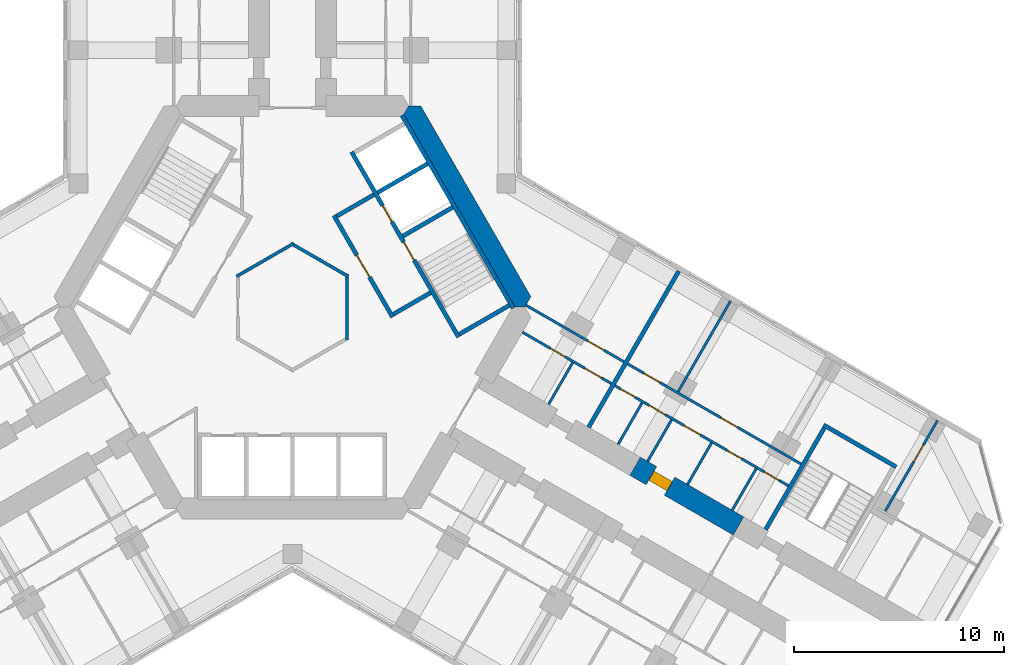
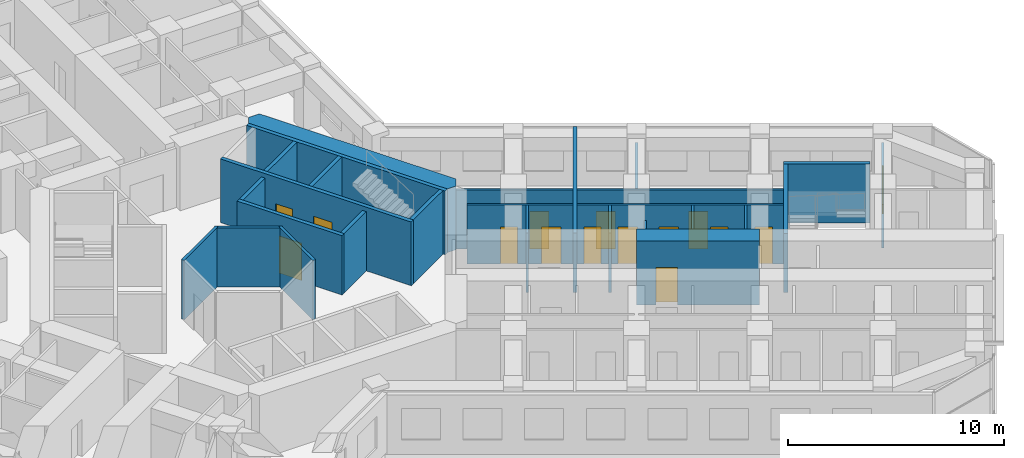
# One storey, part 16 of 22: 27 walls, 15 doors, 15 openings.
"""IFC4 building model written with IfcOpenShell, lengths in metres."""

from ifc_helpers import new_model, si_unit, direction, frame, frame_2d, origin, place, context, subcontext, project, spatial, polyline, rectangle, outline, extrude, material, layer, layer_set, type_object, element, fill, save


model = new_model("IFC4")

# Units and contexts
model_context = context("Model", 3, precision=1e-05, world=origin(), true_north=direction((0.0, 1.0)))
body_context = subcontext(model_context, "Body", "Model", "MODEL_VIEW")
ifc_project = project(units=[si_unit("LENGTHUNIT", "METRE"), si_unit("AREAUNIT", "SQUARE_METRE"), si_unit("VOLUMEUNIT", "CUBIC_METRE"), si_unit("PLANEANGLEUNIT", "RADIAN"), si_unit("MASSUNIT", "GRAM", prefix="KILO")], contexts=[model_context])

# Site, building, storey
site_placement = place(None, origin())
site = spatial("IfcSite", under=ifc_project, at=site_placement, CompositionType="ELEMENT")
building_placement = place(site_placement, origin())
building = spatial("IfcBuilding", under=site, at=building_placement, Name="Kosmar Iwan School Tower", CompositionType="ELEMENT")
storey_placement = place(building_placement, frame((0.0, 0.0, 95.199951171875)))
storey = spatial("IfcBuildingStorey", under=building, at=storey_placement, Name="L23", CompositionType="ELEMENT", Elevation=95.199951171875)

# Walls
ifc_material_1 = material(Name="Gypsum board on steel studs, fire-rated", Category="steel")
ifc_layer_1 = layer(ifc_material_1, 0.14990234375)
ifc_layer_set_1 = layer_set([ifc_layer_1], Name="Core room partition 150")
wall_type_1 = type_object("IfcWallType", Name="Core room partition 150", PredefinedType="PARTITIONING", material=ifc_layer_set_1)
for number, where, z_axis, x_axis, name in (
    (1, (-2.6650390625, 1.463623046875, 0.0), (0.0, 0.0, 1.0), (0.866023080072, 0.500004024767, 0.0), "Core room partition L23-CW7"),
    (2, (-0.06494140625, 3.039794921875, 0.0), (0.0, 0.0, 1.0), (0.866023080072, -0.500004024767, 0.0), "Core room partition L23-CW8"),
    (3, (2.60009765625, 1.576171875, 0.0), (0.0, 0.0, 1.0), (0.0, -1.0, 0.0), "Core room partition L23-CW9"),
):
    element("IfcWall", number, at=place(storey_placement, frame(where, z_axis=z_axis, x_axis=x_axis)), inside=storey, type_object=wall_type_1, Name=name, PredefinedType="PARTITIONING", context=body_context, shape_type="SweptSolid", body=[
        extrude(rectangle(XDim=3.15234375, YDim=0.14990234375, at=frame_2d((1.576171875, 0.0))), origin(), (0.0, 0.0, 1.0), 3.35009765625),
    ])
ifc_material_2 = material(Name="Concrete C50/60", Category="concrete")
ifc_layer_2 = layer(ifc_material_2, 1.0)
ifc_layer_set_2 = layer_set([ifc_layer_2], Name="Core wall 1000")
wall_type_2 = type_object("IfcWallType", Name="Core wall 1000", PredefinedType="SHEAR", material=ifc_layer_set_2)
wall_1_placement = place(storey_placement, origin())
element("IfcWall", 4, at=wall_1_placement, inside=storey, type_object=wall_type_2, Name="Core wall F030", PredefinedType="SHEAR", context=body_context, shape_type="SweptSolid", body=[
    extrude(outline(polyline([(10.5078125, 0.0), (11.085205078125, 0.0), (11.373779296875, 0.5), (6.119873046875, 9.60009765625), (5.54248046875, 9.60009765625), (5.25390625, 9.10009765625), (10.5078125, 0.0)])), origin(), (0.0, 0.0, 1.0), 3.60009765625),
])

# Wall, opening, door
ifc_material_3 = material(Name="Concrete C50/60", Category="concrete")
ifc_layer_3 = layer(ifc_material_3, 1.0)
ifc_layer_set_3 = layer_set([ifc_layer_3], Name="Corridor buttress wall 1000")
wall_type_3 = type_object("IfcWallType", Name="Corridor buttress wall 1000", PredefinedType="SHEAR", material=ifc_layer_set_3)
wall_2_placement = place(storey_placement, frame((16.34521484375, -7.58935546875, 0.0), z_axis=(0.0, 0.0, 1.0), x_axis=(0.866015111908, -0.50001782563, 0.0)))
wall_2 = element("IfcWall", 5, at=wall_2_placement, inside=storey, type_object=wall_type_3, Name="Corridor wall CL bay 2", PredefinedType="SHEAR", context=body_context, shape_type="SweptSolid", body=[
    extrude(rectangle(XDim=5.699951171875, YDim=1.0, at=frame_2d((2.85009765625, 0.0))), origin(), (0.0, 0.0, 1.0), 3.60009765625),
])
opening_1_placement = place(wall_2_placement, frame((0.89990234375, 0.0, 0.0)))
opening_1 = element("IfcOpeningElement", 6, at=opening_1_placement, cuts=wall_2, Name="Opening D1", PredefinedType="OPENING", context=body_context, shape_type="SweptSolid", body=[
    extrude(rectangle(XDim=1.0, YDim=2.10009765625, at=frame_2d((0.5, 1.050048828125))), frame((0.0, 0.511962890625, 0.0), z_axis=(0.0, -1.0, 0.0), x_axis=(1.0, 0.0, 0.0)), (0.0, 0.0, 1.0), 1.02392578125),
])
ifc_material_4 = material(Name="Timber fire door in steel frame", Category="steel")
door_type_1 = type_object("IfcDoorType", Name="Flat entrance door 1000x2100", OperationType="SINGLE_SWING_LEFT", PredefinedType="DOOR", material=ifc_material_4)
door_1_placement = place(opening_1_placement, origin())
door_1 = element("IfcDoor", 7, at=door_1_placement, inside=storey, type_object=door_type_1, Name="Flat L23-CL2 entrance door", OperationType="SINGLE_SWING_LEFT", OverallHeight=2.10009765625, OverallWidth=1.0, PredefinedType="DOOR", context=body_context, shape_type="SweptSolid", body=[
    extrude(rectangle(XDim=1.0, YDim=2.10009765625, at=frame_2d((0.5, 1.050048828125))), frame((0.0, 0.25, 0.0), z_axis=(0.0, -1.0, 0.0), x_axis=(1.0, 0.0, 0.0)), (0.0, 0.0, 1.0), 0.5),
])
fill(opening_1, door_1)

# Wall, openings, doors
ifc_material_5 = material(Name="Gypsum board on steel studs", Category="steel")
ifc_layer_4 = layer(ifc_material_5, 0.1201171875)
ifc_layer_set_4 = layer_set([ifc_layer_4], Name="Dwelling partition 120")
wall_type_4 = type_object("IfcWallType", Name="Dwelling partition 120", PredefinedType="PARTITIONING", material=ifc_layer_set_4)
wall_3_placement = place(storey_placement, frame((10.971923828125, -1.1962890625, 0.0), z_axis=(0.0, 0.0, 1.0), x_axis=(0.866023786258, -0.500002801628, 0.0)))
wall_3 = element("IfcWall", 8, at=wall_3_placement, inside=storey, type_object=wall_type_4, Name="Partition L23-CL1-W1", PredefinedType="PARTITIONING", context=body_context, shape_type="SweptSolid", body=[
    extrude(rectangle(XDim=4.89990234375, YDim=0.1201171875, at=frame_2d((2.449951171875, 0.0))), origin(), (0.0, 0.0, 1.0), 3.35009765625),
])
opening_2_placement = place(wall_3_placement, frame((1.550048828125, 0.0, 0.0)))
opening_2 = element("IfcOpeningElement", 9, at=opening_2_placement, cuts=wall_3, Name="Opening D3", PredefinedType="OPENING", context=body_context, shape_type="SweptSolid", body=[
    extrude(rectangle(XDim=0.800048828125, YDim=2.10009765625, at=frame_2d((0.39990234375, 1.050048828125))), frame((0.0, 0.072021484375, 0.0), z_axis=(0.0, -1.0, 0.0), x_axis=(1.0, 0.0, 0.0)), (0.0, 0.0, 1.0), 0.14404296875),
])
opening_3_placement = place(wall_3_placement, frame((3.449951171875, 0.0, 0.0)))
opening_3 = element("IfcOpeningElement", 10, at=opening_3_placement, cuts=wall_3, Name="Opening D2", PredefinedType="OPENING", context=body_context, shape_type="SweptSolid", body=[
    extrude(rectangle(XDim=0.89990234375, YDim=2.10009765625, at=frame_2d((0.449951171875, 1.050048828125))), frame((0.0, 0.072021484375, 0.0), z_axis=(0.0, -1.0, 0.0), x_axis=(1.0, 0.0, 0.0)), (0.0, 0.0, 1.0), 0.14404296875),
])
ifc_material_6 = material(Name="Timber door in timber frame", Category="wood")
door_type_2 = type_object("IfcDoorType", Name="Internal door 900x2100", OperationType="SINGLE_SWING_LEFT", PredefinedType="DOOR", material=ifc_material_6)
door_2_placement = place(opening_3_placement, origin())
door_2 = element("IfcDoor", 11, at=door_2_placement, inside=storey, type_object=door_type_2, Name="Entrance hall door L23-CL1-S2", OperationType="SINGLE_SWING_RIGHT", OverallHeight=2.10009765625, OverallWidth=0.89990234375, PredefinedType="DOOR", context=body_context, shape_type="SweptSolid", body=[
    extrude(rectangle(XDim=0.89990234375, YDim=2.10009765625, at=frame_2d((0.449951171875, 1.050048828125))), frame((0.0, 0.02490234375, 0.0), z_axis=(0.0, -1.0, 0.0), x_axis=(1.0, 0.0, 0.0)), (0.0, 0.0, 1.0), 0.050048828125),
])
fill(opening_3, door_2)
ifc_material_7 = material(Name="Timber door in timber frame", Category="wood")
door_type_3 = type_object("IfcDoorType", Name="Sanitary room door 800x2100", OperationType="SINGLE_SWING_LEFT", PredefinedType="DOOR", material=ifc_material_7)
door_3_placement = place(opening_2_placement, origin())
door_3 = element("IfcDoor", 12, at=door_3_placement, inside=storey, type_object=door_type_3, Name="Bathroom door L23-CL1-S1", OperationType="SINGLE_SWING_LEFT", OverallHeight=2.10009765625, OverallWidth=0.800048828125, PredefinedType="DOOR", context=body_context, shape_type="SweptSolid", body=[
    extrude(rectangle(XDim=0.800048828125, YDim=2.10009765625, at=frame_2d((0.39990234375, 1.050048828125))), frame((0.0, 0.02490234375, 0.0), z_axis=(0.0, -1.0, 0.0), x_axis=(1.0, 0.0, 0.0)), (0.0, 0.0, 1.0), 0.050048828125),
])
fill(opening_2, door_3)

# Wall, opening, door
wall_4_placement = place(storey_placement, frame((11.138916015625, 0.093017578125, 0.0), z_axis=(0.0, 0.0, 1.0), x_axis=(0.866028230842, -0.499995103361, 0.0)))
wall_4 = element("IfcWall", 13, at=wall_4_placement, inside=storey, type_object=wall_type_4, Name="Partition L23-CL1-W2", PredefinedType="PARTITIONING", context=body_context, shape_type="SweptSolid", body=[
    extrude(rectangle(XDim=5.39990234375, YDim=0.1201171875, at=frame_2d((2.699951171875, 0.0))), origin(), (0.0, 0.0, 1.0), 3.35009765625),
])
opening_4_placement = place(wall_4_placement, frame((3.39990234375, 0.0, 0.0)))
opening_4 = element("IfcOpeningElement", 14, at=opening_4_placement, cuts=wall_4, Name="Opening D2", PredefinedType="OPENING", context=body_context, shape_type="SweptSolid", body=[
    extrude(rectangle(XDim=0.89990234375, YDim=2.10009765625, at=frame_2d((0.449951171875, 1.050048828125))), frame((0.0, 0.072021484375, 0.0), z_axis=(0.0, -1.0, 0.0), x_axis=(1.0, 0.0, 0.0)), (0.0, 0.0, 1.0), 0.14404296875),
])
door_4_placement = place(opening_4_placement, origin())
door_4 = element("IfcDoor", 15, at=door_4_placement, inside=storey, type_object=door_type_2, Name="Studio living room and kitchen door L23-CL1-F1", OperationType="SINGLE_SWING_RIGHT", OverallHeight=2.10009765625, OverallWidth=0.89990234375, PredefinedType="DOOR", context=body_context, shape_type="SweptSolid", body=[
    extrude(rectangle(XDim=0.89990234375, YDim=2.10009765625, at=frame_2d((0.449951171875, 1.050048828125))), frame((0.0, 0.02490234375, 0.0), z_axis=(0.0, -1.0, 0.0), x_axis=(1.0, 0.0, 0.0)), (0.0, 0.0, 1.0), 0.050048828125),
])
fill(opening_4, door_4)

# Wall
wall_5_placement = place(storey_placement, frame((12.2216796875, -4.63134765625, 0.0), z_axis=(0.0, 0.0, 1.0), x_axis=(0.500014693593, 0.866016920268, 0.0)))
element("IfcWall", 16, at=wall_5_placement, inside=storey, type_object=wall_type_4, Name="Partition L23-CL1-Y1", PredefinedType="PARTITIONING", context=body_context, shape_type="SweptSolid", body=[
    extrude(rectangle(XDim=2.2900390625, YDim=0.1201171875, at=frame_2d((1.14501953125, 0.0))), origin(), (0.0, 0.0, 1.0), 3.35009765625),
])

# Wall, openings, doors
wall_6_placement = place(storey_placement, frame((15.388671875, -3.74609375, 0.0), z_axis=(0.0, 0.0, 1.0), x_axis=(0.866017851049, -0.500013081493, 0.0)))
wall_6 = element("IfcWall", 17, at=wall_6_placement, inside=storey, type_object=wall_type_4, Name="Partition L23-CL2-W1", PredefinedType="PARTITIONING", context=body_context, shape_type="SweptSolid", body=[
    extrude(rectangle(XDim=9.550048828125, YDim=0.1201171875, at=frame_2d((4.77490234375, 0.0))), origin(), (0.0, 0.0, 1.0), 3.35009765625),
])
opening_5_placement = place(wall_6_placement, frame((0.3125, 0.0, 0.0)))
opening_5 = element("IfcOpeningElement", 18, at=opening_5_placement, cuts=wall_6, Name="Opening D3", PredefinedType="OPENING", context=body_context, shape_type="SweptSolid", body=[
    extrude(rectangle(XDim=0.800048828125, YDim=2.10009765625, at=frame_2d((0.39990234375, 1.050048828125))), frame((0.0, 0.072021484375, 0.0), z_axis=(0.0, -1.0, 0.0), x_axis=(1.0, 0.0, 0.0)), (0.0, 0.0, 1.0), 0.14404296875),
])
opening_6_placement = place(wall_6_placement, frame((1.887451171875, 0.0, 0.0)))
opening_6 = element("IfcOpeningElement", 19, at=opening_6_placement, cuts=wall_6, Name="Opening D2", PredefinedType="OPENING", context=body_context, shape_type="SweptSolid", body=[
    extrude(rectangle(XDim=0.89990234375, YDim=2.10009765625, at=frame_2d((0.449951171875, 1.050048828125))), frame((0.0, 0.072021484375, 0.0), z_axis=(0.0, -1.0, 0.0), x_axis=(1.0, 0.0, 0.0)), (0.0, 0.0, 1.0), 0.14404296875),
])
opening_7_placement = place(wall_6_placement, frame((3.800048828125, 0.0, 0.0)))
opening_7 = element("IfcOpeningElement", 20, at=opening_7_placement, cuts=wall_6, Name="Opening D2", PredefinedType="OPENING", context=body_context, shape_type="SweptSolid", body=[
    extrude(rectangle(XDim=0.89990234375, YDim=2.10009765625, at=frame_2d((0.449951171875, 1.050048828125))), frame((0.0, 0.072021484375, 0.0), z_axis=(0.0, -1.0, 0.0), x_axis=(1.0, 0.0, 0.0)), (0.0, 0.0, 1.0), 0.14404296875),
])
opening_8_placement = place(wall_6_placement, frame((6.179931640625, 0.0, 0.0)))
opening_8 = element("IfcOpeningElement", 21, at=opening_8_placement, cuts=wall_6, Name="Opening D3", PredefinedType="OPENING", context=body_context, shape_type="SweptSolid", body=[
    extrude(rectangle(XDim=0.800048828125, YDim=2.10009765625, at=frame_2d((0.39990234375, 1.050048828125))), frame((0.0, 0.072021484375, 0.0), z_axis=(0.0, -1.0, 0.0), x_axis=(1.0, 0.0, 0.0)), (0.0, 0.0, 1.0), 0.14404296875),
])
opening_9_placement = place(wall_6_placement, frame((8.22998046875, 0.0, 0.0)))
opening_9 = element("IfcOpeningElement", 22, at=opening_9_placement, cuts=wall_6, Name="Opening D3", PredefinedType="OPENING", context=body_context, shape_type="SweptSolid", body=[
    extrude(rectangle(XDim=0.800048828125, YDim=2.10009765625, at=frame_2d((0.39990234375, 1.050048828125))), frame((0.0, 0.072021484375, 0.0), z_axis=(0.0, -1.0, 0.0), x_axis=(1.0, 0.0, 0.0)), (0.0, 0.0, 1.0), 0.14404296875),
])
door_5_placement = place(opening_6_placement, frame((0.89990234375, 0.0, 0.0), z_axis=(0.0, 0.0, 1.0), x_axis=(-1.0, 0.0, 0.0)))
door_5 = element("IfcDoor", 23, at=door_5_placement, inside=storey, type_object=door_type_2, Name="Pantry door L23-CL2-S2", OperationType="SINGLE_SWING_RIGHT", OverallHeight=2.10009765625, OverallWidth=0.89990234375, PredefinedType="DOOR", context=body_context, shape_type="SweptSolid", body=[
    extrude(rectangle(XDim=0.89990234375, YDim=2.10009765625, at=frame_2d((0.449951171875, 1.050048828125))), frame((0.0, 0.02490234375, 0.0), z_axis=(0.0, -1.0, 0.0), x_axis=(1.0, 0.0, 0.0)), (0.0, 0.0, 1.0), 0.050048828125),
])
fill(opening_6, door_5)
door_6_placement = place(opening_7_placement, origin())
door_6 = element("IfcDoor", 24, at=door_6_placement, inside=storey, type_object=door_type_2, Name="Entrance hall door L23-CL2-S3", OperationType="SINGLE_SWING_LEFT", OverallHeight=2.10009765625, OverallWidth=0.89990234375, PredefinedType="DOOR", context=body_context, shape_type="SweptSolid", body=[
    extrude(rectangle(XDim=0.89990234375, YDim=2.10009765625, at=frame_2d((0.449951171875, 1.050048828125))), frame((0.0, 0.02490234375, 0.0), z_axis=(0.0, -1.0, 0.0), x_axis=(1.0, 0.0, 0.0)), (0.0, 0.0, 1.0), 0.050048828125),
])
fill(opening_7, door_6)
door_7_placement = place(opening_5_placement, origin())
door_7 = element("IfcDoor", 25, at=door_7_placement, inside=storey, type_object=door_type_3, Name="Store door L23-CL2-S1", OperationType="SINGLE_SWING_LEFT", OverallHeight=2.10009765625, OverallWidth=0.800048828125, PredefinedType="DOOR", context=body_context, shape_type="SweptSolid", body=[
    extrude(rectangle(XDim=0.800048828125, YDim=2.10009765625, at=frame_2d((0.39990234375, 1.050048828125))), frame((0.0, 0.02490234375, 0.0), z_axis=(0.0, -1.0, 0.0), x_axis=(1.0, 0.0, 0.0)), (0.0, 0.0, 1.0), 0.050048828125),
])
fill(opening_5, door_7)
door_8_placement = place(opening_8_placement, origin())
door_8 = element("IfcDoor", 26, at=door_8_placement, inside=storey, type_object=door_type_3, Name="Bathroom door L23-CL2-S4", OperationType="SINGLE_SWING_RIGHT", OverallHeight=2.10009765625, OverallWidth=0.800048828125, PredefinedType="DOOR", context=body_context, shape_type="SweptSolid", body=[
    extrude(rectangle(XDim=0.800048828125, YDim=2.10009765625, at=frame_2d((0.39990234375, 1.050048828125))), frame((0.0, 0.02490234375, 0.0), z_axis=(0.0, -1.0, 0.0), x_axis=(1.0, 0.0, 0.0)), (0.0, 0.0, 1.0), 0.050048828125),
])
fill(opening_8, door_8)
door_9_placement = place(opening_9_placement, origin())
door_9 = element("IfcDoor", 27, at=door_9_placement, inside=storey, type_object=door_type_3, Name="WC door L23-CL2-S5", OperationType="SINGLE_SWING_RIGHT", OverallHeight=2.10009765625, OverallWidth=0.800048828125, PredefinedType="DOOR", context=body_context, shape_type="SweptSolid", body=[
    extrude(rectangle(XDim=0.800048828125, YDim=2.10009765625, at=frame_2d((0.39990234375, 1.050048828125))), frame((0.0, 0.02490234375, 0.0), z_axis=(0.0, -1.0, 0.0), x_axis=(1.0, 0.0, 0.0)), (0.0, 0.0, 1.0), 0.050048828125),
])
fill(opening_9, door_9)

wall_7_placement = place(storey_placement, frame((15.988525390625, -2.70703125, 0.0), z_axis=(0.0, 0.0, 1.0), x_axis=(0.866028920859, -0.499993908199, 0.0)))
wall_7 = element("IfcWall", 28, at=wall_7_placement, inside=storey, type_object=wall_type_4, Name="Partition L23-CL2-W2", PredefinedType="PARTITIONING", context=body_context, shape_type="SweptSolid", body=[
    extrude(rectangle(XDim=9.5498046875, YDim=0.1201171875, at=frame_2d((4.77490234375, 0.0))), origin(), (0.0, 0.0, 1.0), 3.35009765625),
])
opening_10_placement = place(wall_7_placement, frame((0.875, 0.0, 0.0)))
opening_10 = element("IfcOpeningElement", 29, at=opening_10_placement, cuts=wall_7, Name="Opening D2", PredefinedType="OPENING", context=body_context, shape_type="SweptSolid", body=[
    extrude(rectangle(XDim=0.89990234375, YDim=2.10009765625, at=frame_2d((0.449951171875, 1.050048828125))), frame((0.0, 0.072021484375, 0.0), z_axis=(0.0, -1.0, 0.0), x_axis=(1.0, 0.0, 0.0)), (0.0, 0.0, 1.0), 0.14404296875),
])
opening_11_placement = place(wall_7_placement, frame((5.14990234375, 0.0, 0.0)))
opening_11 = element("IfcOpeningElement", 30, at=opening_11_placement, cuts=wall_7, Name="Opening D2", PredefinedType="OPENING", context=body_context, shape_type="SweptSolid", body=[
    extrude(rectangle(XDim=0.89990234375, YDim=2.10009765625, at=frame_2d((0.449951171875, 1.050048828125))), frame((0.0, 0.072021484375, 0.0), z_axis=(0.0, -1.0, 0.0), x_axis=(1.0, 0.0, 0.0)), (0.0, 0.0, 1.0), 0.14404296875),
])
door_10_placement = place(opening_10_placement, origin())
door_10 = element("IfcDoor", 31, at=door_10_placement, inside=storey, type_object=door_type_2, Name="Bedroom 1 door L23-CL2-F1", OperationType="SINGLE_SWING_RIGHT", OverallHeight=2.10009765625, OverallWidth=0.89990234375, PredefinedType="DOOR", context=body_context, shape_type="SweptSolid", body=[
    extrude(rectangle(XDim=0.89990234375, YDim=2.10009765625, at=frame_2d((0.449951171875, 1.050048828125))), frame((0.0, 0.02490234375, 0.0), z_axis=(0.0, -1.0, 0.0), x_axis=(1.0, 0.0, 0.0)), (0.0, 0.0, 1.0), 0.050048828125),
])
fill(opening_10, door_10)
door_11_placement = place(opening_11_placement, origin())
door_11 = element("IfcDoor", 32, at=door_11_placement, inside=storey, type_object=door_type_2, Name="Living room and kitchen door L23-CL2-F2", OperationType="SINGLE_SWING_LEFT", OverallHeight=2.10009765625, OverallWidth=0.89990234375, PredefinedType="DOOR", context=body_context, shape_type="SweptSolid", body=[
    extrude(rectangle(XDim=0.89990234375, YDim=2.10009765625, at=frame_2d((0.449951171875, 1.050048828125))), frame((0.0, 0.02490234375, 0.0), z_axis=(0.0, -1.0, 0.0), x_axis=(1.0, 0.0, 0.0)), (0.0, 0.0, 1.0), 0.050048828125),
])
fill(opening_11, door_11)

# Walls
wall_8_placement = place(storey_placement, frame((18.400146484375, -4.030029296875, 0.0), z_axis=(0.0, 0.0, 1.0), x_axis=(0.500011847778, 0.866018563358, 0.0)))
element("IfcWall", 33, at=wall_8_placement, inside=storey, type_object=wall_type_4, Name="Partition L23-CL2-X1", PredefinedType="PARTITIONING", context=body_context, shape_type="SweptSolid", body=[
    extrude(rectangle(XDim=4.990234375, YDim=0.1201171875, at=frame_2d((2.4951171875, 0.0))), origin(), (0.0, 0.0, 1.0), 2.449951171875),
])
wall_9_placement = place(storey_placement, frame((15.5341796875, -6.5439453125, 0.0), z_axis=(0.0, 0.0, 1.0), x_axis=(0.499968531483, 0.866043571379, 0.0)))
element("IfcWall", 34, at=wall_9_placement, inside=storey, type_object=wall_type_4, Name="Partition L23-CL2-Y1", PredefinedType="PARTITIONING", context=body_context, shape_type="SweptSolid", body=[
    extrude(rectangle(XDim=2.290283203125, YDim=0.1201171875, at=frame_2d((1.14501953125, 0.0))), origin(), (0.0, 0.0, 1.0), 3.35009765625),
])
wall_10_placement = place(storey_placement, frame((16.941650390625, -7.3564453125, 0.0), z_axis=(0.0, 0.0, 1.0), x_axis=(0.499968531483, 0.866043571379, 0.0)))
element("IfcWall", 35, at=wall_10_placement, inside=storey, type_object=wall_type_4, Name="Partition L23-CL2-Y2", PredefinedType="PARTITIONING", context=body_context, shape_type="SweptSolid", body=[
    extrude(rectangle(XDim=2.290283203125, YDim=0.1201171875, at=frame_2d((1.14501953125, 0.0))), origin(), (0.0, 0.0, 1.0), 2.449951171875),
])
for number, where, z_axis, x_axis, name in (
    (36, (18.846923828125, -8.456298828125, 0.0), (0.0, 0.0, 1.0), (0.500014693593, 0.866016920268, 0.0), "Partition L23-CL2-Y3"),
    (37, (20.977294921875, -9.686279296875, 0.0), (0.0, 0.0, 1.0), (0.500014693593, 0.866016920268, 0.0), "Partition L23-CL2-Y4"),
):
    element("IfcWall", number, at=place(storey_placement, frame(where, z_axis=z_axis, x_axis=x_axis)), inside=storey, type_object=wall_type_4, Name=name, PredefinedType="PARTITIONING", context=body_context, shape_type="SweptSolid", body=[
        extrude(rectangle(XDim=2.2900390625, YDim=0.1201171875, at=frame_2d((1.14501953125, 0.0))), origin(), (0.0, 0.0, 1.0), 3.35009765625),
    ])

# Wall, opening, door
wall_11_placement = place(storey_placement, frame((28.27294921875, -9.72998046875, 0.0), z_axis=(0.0, 0.0, 1.0), x_axis=(0.499975153383, 0.86603974851, 0.0)))
wall_11 = element("IfcWall", 38, at=wall_11_placement, inside=storey, type_object=wall_type_4, Name="Partition L23-CL2-TX", PredefinedType="PARTITIONING", context=body_context, shape_type="SweptSolid", body=[
    extrude(rectangle(XDim=4.989990234375, YDim=0.1201171875, at=frame_2d((2.4951171875, 0.0))), origin(), (0.0, 0.0, 1.0), 2.449951171875),
])
opening_12_placement = place(wall_11_placement, frame((2.739990234375, 0.0, 0.0)))
opening_12 = element("IfcOpeningElement", 39, at=opening_12_placement, cuts=wall_11, Name="Opening D2", PredefinedType="OPENING", context=body_context, shape_type="SweptSolid", body=[
    extrude(rectangle(XDim=0.89990234375, YDim=2.10009765625, at=frame_2d((0.449951171875, 1.050048828125))), frame((0.0, 0.072021484375, 0.0), z_axis=(0.0, -1.0, 0.0), x_axis=(1.0, 0.0, 0.0)), (0.0, 0.0, 1.0), 0.14404296875),
])
door_12_placement = place(opening_12_placement, origin())
door_12 = element("IfcDoor", 40, at=door_12_placement, inside=storey, type_object=door_type_2, Name="Study door L23-CL2-T1", OperationType="SINGLE_SWING_RIGHT", OverallHeight=2.10009765625, OverallWidth=0.89990234375, PredefinedType="DOOR", context=body_context, shape_type="SweptSolid", body=[
    extrude(rectangle(XDim=0.89990234375, YDim=2.10009765625, at=frame_2d((0.449951171875, 1.050048828125))), frame((0.0, 0.02490234375, 0.0), z_axis=(0.0, -1.0, 0.0), x_axis=(1.0, 0.0, 0.0)), (0.0, 0.0, 1.0), 0.050048828125),
])
fill(opening_12, door_12)

# Walls
ifc_material_8 = material(Name="Concrete C35/45", Category="concrete")
ifc_layer_5 = layer(ifc_material_8, 0.199951171875)
ifc_layer_set_5 = layer_set([ifc_layer_5], Name="Escape stair wall 200")
wall_type_5 = type_object("IfcWallType", Name="Escape stair wall 200", PredefinedType="SHEAR", material=ifc_layer_set_5)
wall_12_placement = place(storey_placement, frame((22.57080078125, -10.6064453125, 0.0), z_axis=(0.0, 0.0, 1.0), x_axis=(0.499987231761, 0.866032775405, 0.0)))
element("IfcWall", 41, at=wall_12_placement, inside=storey, type_object=wall_type_5, Name="Stair WS3 wall", PredefinedType="SHEAR", context=body_context, shape_type="SweptSolid", body=[
    extrude(rectangle(XDim=5.800048828125, YDim=0.199951171875, at=frame_2d((2.89990234375, 0.0))), origin(), (0.0, 0.0, 1.0), 3.330078125),
])
wall_13_placement = place(storey_placement, frame((25.334228515625, -5.6201171875, 0.0), z_axis=(0.0, 0.0, 1.0), x_axis=(0.866026010844, -0.49999894854, 0.0)))
element("IfcWall", 42, at=wall_13_placement, inside=storey, type_object=wall_type_5, Name="Stair WS3 wall", PredefinedType="SHEAR", context=body_context, shape_type="SweptSolid", body=[
    extrude(rectangle(XDim=4.0, YDim=0.199951171875, at=frame_2d((2.0, 0.0))), origin(), (0.0, 0.0, 1.0), 3.330078125),
])

# Wall, opening, door
ifc_material_9 = material(Name="Concrete block masonry", Category="masonry")
ifc_layer_6 = layer(ifc_material_9, 0.199951171875)
ifc_layer_set_6 = layer_set([ifc_layer_6], Name="Fire lobby wall 200")
wall_type_6 = type_object("IfcWallType", Name="Fire lobby wall 200", PredefinedType="PARTITIONING", material=ifc_layer_set_6)
wall_14_placement = place(storey_placement, frame((4.777587890625, -0.474853515625, 0.0), z_axis=(0.0, 0.0, 1.0), x_axis=(-0.500016814911, 0.866015695474, 0.0)))
wall_14 = element("IfcWall", 43, at=wall_14_placement, inside=storey, type_object=wall_type_6, Name="Firefighting lobby wall ST1", PredefinedType="PARTITIONING", context=body_context, shape_type="SweptSolid", body=[
    extrude(rectangle(XDim=5.599853515625, YDim=0.199951171875, at=frame_2d((2.7998046875, 0.0))), origin(), (0.0, 0.0, 1.0), 3.35009765625),
])
opening_13_placement = place(wall_14_placement, frame((2.199951171875, 0.0, 0.0)))
opening_13 = element("IfcOpeningElement", 44, at=opening_13_placement, cuts=wall_14, Name="Opening D7", PredefinedType="OPENING", context=body_context, shape_type="SweptSolid", body=[
    extrude(rectangle(XDim=1.199951171875, YDim=2.10009765625, at=frame_2d((0.60009765625, 1.050048828125))), frame((0.0, 0.112060546875, 0.0), z_axis=(0.0, -1.0, 0.0), x_axis=(1.0, 0.0, 0.0)), (0.0, 0.0, 1.0), 0.223876953125),
])
ifc_material_10 = material(Name="Steel fire door", Category="steel")
door_type_4 = type_object("IfcDoorType", Name="Fire lobby door 1200x2100", OperationType="SINGLE_SWING_LEFT", PredefinedType="DOOR", material=ifc_material_10)
door_13_placement = place(opening_13_placement, frame((1.199951171875, 0.0, 0.0), z_axis=(0.0, 0.0, 1.0), x_axis=(-1.0, 0.0, 0.0)))
door_13 = element("IfcDoor", 45, at=door_13_placement, inside=storey, type_object=door_type_4, Name="Firefighting lobby door ST1 L23", OperationType="SINGLE_SWING_LEFT", OverallHeight=2.10009765625, OverallWidth=1.199951171875, PredefinedType="DOOR", context=body_context, shape_type="SweptSolid", body=[
    extrude(rectangle(XDim=1.199951171875, YDim=2.10009765625, at=frame_2d((0.60009765625, 1.050048828125))), frame((0.0, 0.02490234375, 0.0), z_axis=(0.0, -1.0, 0.0), x_axis=(1.0, 0.0, 0.0)), (0.0, 0.0, 1.0), 0.050048828125),
])
fill(opening_13, door_13)

# Walls
wall_15_placement = place(storey_placement, frame((4.814208984375, -0.33837890625, 0.0), z_axis=(0.0, 0.0, 1.0), x_axis=(0.865969381856, 0.500097020274, 0.0)))
element("IfcWall", 46, at=wall_15_placement, inside=storey, type_object=wall_type_6, Name="Firefighting lobby wall ST1", PredefinedType="PARTITIONING", context=body_context, shape_type="SweptSolid", body=[
    extrude(rectangle(XDim=2.0498046875, YDim=0.199951171875, at=frame_2d((1.02490234375, 0.0))), origin(), (0.0, 0.0, 1.0), 3.35009765625),
])
wall_16_placement = place(storey_placement, frame((2.114013671875, 4.33837890625, 0.0), z_axis=(0.0, 0.0, 1.0), x_axis=(0.866050731258, 0.499956128963, 0.0)))
element("IfcWall", 47, at=wall_16_placement, inside=storey, type_object=wall_type_6, Name="Firefighting lobby wall ST1", PredefinedType="PARTITIONING", context=body_context, shape_type="SweptSolid", body=[
    extrude(rectangle(XDim=2.050048828125, YDim=0.199951171875, at=frame_2d((1.02490234375, 0.0))), origin(), (0.0, 0.0, 1.0), 3.35009765625),
])

# Wall, openings, doors
ifc_material_11 = material(Name="Concrete C50/60", Category="concrete")
ifc_layer_7 = layer(ifc_material_11, 0.199951171875)
ifc_layer_set_7 = layer_set([ifc_layer_7], Name="Lift shaft wall 200")
wall_type_7 = type_object("IfcWallType", Name="Lift shaft wall 200", PredefinedType="SHEAR", material=ifc_layer_set_7)
wall_17_placement = place(storey_placement, frame((7.926025390625, -1.42822265625, 0.0), z_axis=(0.0, 0.0, 1.0), x_axis=(-0.499998023675, 0.866026544813, 0.0)))
wall_17 = element("IfcWall", 48, at=wall_17_placement, inside=storey, type_object=wall_type_7, Name="Lift and stair front wall AC", PredefinedType="SHEAR", context=body_context, shape_type="SweptSolid", body=[
    extrude(rectangle(XDim=10.19970703125, YDim=0.199951171875, at=frame_2d((5.099853515625, 0.0))), origin(), (0.0, 0.0, 1.0), 3.60009765625),
])
opening_14_placement = place(wall_17_placement, frame((6.35009765625, 0.0, 0.0)))
opening_14 = element("IfcOpeningElement", 49, at=opening_14_placement, cuts=wall_17, Name="Opening LD2", PredefinedType="OPENING", context=body_context, shape_type="SweptSolid", body=[
    extrude(rectangle(XDim=0.89990234375, YDim=2.10009765625, at=frame_2d((0.449951171875, 1.050048828125))), frame((0.0, 0.112060546875, 0.0), z_axis=(0.0, -1.0, 0.0), x_axis=(1.0, 0.0, 0.0)), (0.0, 0.0, 1.0), 0.223876953125),
])
opening_15_placement = place(wall_17_placement, frame((4.22998046875, 0.0, 0.0)))
opening_15 = element("IfcOpeningElement", 50, at=opening_15_placement, cuts=wall_17, Name="Opening D6", PredefinedType="OPENING", context=body_context, shape_type="SweptSolid", body=[
    extrude(rectangle(XDim=1.0, YDim=2.10009765625, at=frame_2d((0.5, 1.050048828125))), frame((0.0, 0.112060546875, 0.0), z_axis=(0.0, -1.0, 0.0), x_axis=(1.0, 0.0, 0.0)), (0.0, 0.0, 1.0), 0.223876953125),
])
ifc_material_12 = material(Name="Stainless steel sliding lift door", Category="steel")
door_type_5 = type_object("IfcDoorType", Name="Firefighting lift landing door 900x2100", OperationType="SLIDING_TO_LEFT", PredefinedType="DOOR", material=ifc_material_12)
door_14_placement = place(opening_14_placement, origin())
door_14 = element("IfcDoor", 51, at=door_14_placement, inside=storey, type_object=door_type_5, Name="Lift FF1 landing door L23", OperationType="SLIDING_TO_LEFT", OverallHeight=2.10009765625, OverallWidth=0.89990234375, PredefinedType="DOOR", context=body_context, shape_type="SweptSolid", body=[
    extrude(rectangle(XDim=0.89990234375, YDim=2.10009765625, at=frame_2d((0.449951171875, 1.050048828125))), frame((0.0, 0.02490234375, 0.0), z_axis=(0.0, -1.0, 0.0), x_axis=(1.0, 0.0, 0.0)), (0.0, 0.0, 1.0), 0.050048828125),
])
fill(opening_14, door_14)
ifc_material_13 = material(Name="Steel fire door", Category="steel")
door_type_6 = type_object("IfcDoorType", Name="Stair door 1000x2100", OperationType="SINGLE_SWING_LEFT", PredefinedType="DOOR", material=ifc_material_13)
door_15_placement = place(opening_15_placement, origin())
door_15 = element("IfcDoor", 52, at=door_15_placement, inside=storey, type_object=door_type_6, Name="Stair ST1 door L23", OperationType="SINGLE_SWING_LEFT", OverallHeight=2.10009765625, OverallWidth=1.0, PredefinedType="DOOR", context=body_context, shape_type="SweptSolid", body=[
    extrude(rectangle(XDim=1.0, YDim=2.10009765625, at=frame_2d((0.5, 1.050048828125))), frame((0.0, 0.02490234375, 0.0), z_axis=(0.0, -1.0, 0.0), x_axis=(1.0, 0.0, 0.0)), (0.0, 0.0, 1.0), 0.050048828125),
])
fill(opening_15, door_15)

# Walls
wall_18_placement = place(storey_placement, frame((10.53662109375, -0.050048828125, 0.0), z_axis=(0.0, 0.0, 1.0), x_axis=(-0.499994998079, 0.866028291626, 0.0)))
element("IfcWall", 53, at=wall_18_placement, inside=storey, type_object=wall_type_7, Name="Lift and stair back wall AC", PredefinedType="SHEAR", context=body_context, shape_type="SweptSolid", body=[
    extrude(rectangle(XDim=10.623046875, YDim=0.199951171875, at=frame_2d((5.3115234375, 0.0))), origin(), (0.0, 0.0, 1.0), 3.60009765625),
])
wall_19_placement = place(storey_placement, frame((4.062744140625, 5.46337890625, 0.0), z_axis=(0.0, 0.0, 1.0), x_axis=(0.866027397988, 0.499996545922, 0.0)))
element("IfcWall", 54, at=wall_19_placement, inside=storey, type_object=wall_type_7, Name="Lift shaft wall AC 1", PredefinedType="SHEAR", context=body_context, shape_type="SweptSolid", body=[
    extrude(rectangle(XDim=2.75, YDim=0.199951171875, at=frame_2d((1.375, 0.0))), origin(), (0.0, 0.0, 1.0), 3.60009765625),
])
ifc_material_14 = material(Name="Concrete block masonry", Category="masonry")
ifc_layer_8 = layer(ifc_material_14, 0.199951171875)
ifc_layer_set_8 = layer_set([ifc_layer_8], Name="Party wall 200")
wall_type_8 = type_object("IfcWallType", Name="Party wall 200", PredefinedType="PARTITIONING", material=ifc_layer_set_8)
wall_20_placement = place(storey_placement, frame((14.126953125, -5.7314453125, 0.0), z_axis=(0.0, 0.0, 1.0), x_axis=(0.499995216735, 0.866028165386, 0.0)))
element("IfcWall", 55, at=wall_20_placement, inside=storey, type_object=wall_type_8, Name="Partition L23-CL2-PW", PredefinedType="PARTITIONING", context=body_context, shape_type="SweptSolid", body=[
    extrude(rectangle(XDim=8.60009765625, YDim=0.199951171875, at=frame_2d((4.300048828125, 0.0))), origin(), (0.0, 0.0, 1.0), 3.35009765625),
])
ifc_material_15 = material(Name="Concrete C50/60", Category="concrete")
ifc_layer_9 = layer(ifc_material_15, 0.199951171875)
ifc_layer_set_9 = layer_set([ifc_layer_9], Name="Stair enclosure wall 200")
wall_type_9 = type_object("IfcWallType", Name="Stair enclosure wall 200", PredefinedType="SHEAR", material=ifc_layer_set_9)
for number, where, z_axis, x_axis, name in (
    (56, (7.962646484375, -1.291748046875, 0.0), (0.0, 0.0, 1.0), (0.866027397988, 0.499996545922, 0.0), "Stair ST1 wall"),
    (57, (5.2626953125, 3.384765625, 0.0), (0.0, 0.0, 1.0), (0.866027397988, 0.499996545922, 0.0), "Stair ST1 wall"),
):
    element("IfcWall", number, at=place(storey_placement, frame(where, z_axis=z_axis, x_axis=x_axis)), inside=storey, type_object=wall_type_9, Name=name, PredefinedType="SHEAR", context=body_context, shape_type="SweptSolid", body=[
        extrude(rectangle(XDim=2.75, YDim=0.199951171875, at=frame_2d((1.375, 0.0))), origin(), (0.0, 0.0, 1.0), 3.60009765625),
    ])

save(model, "model.ifc")
